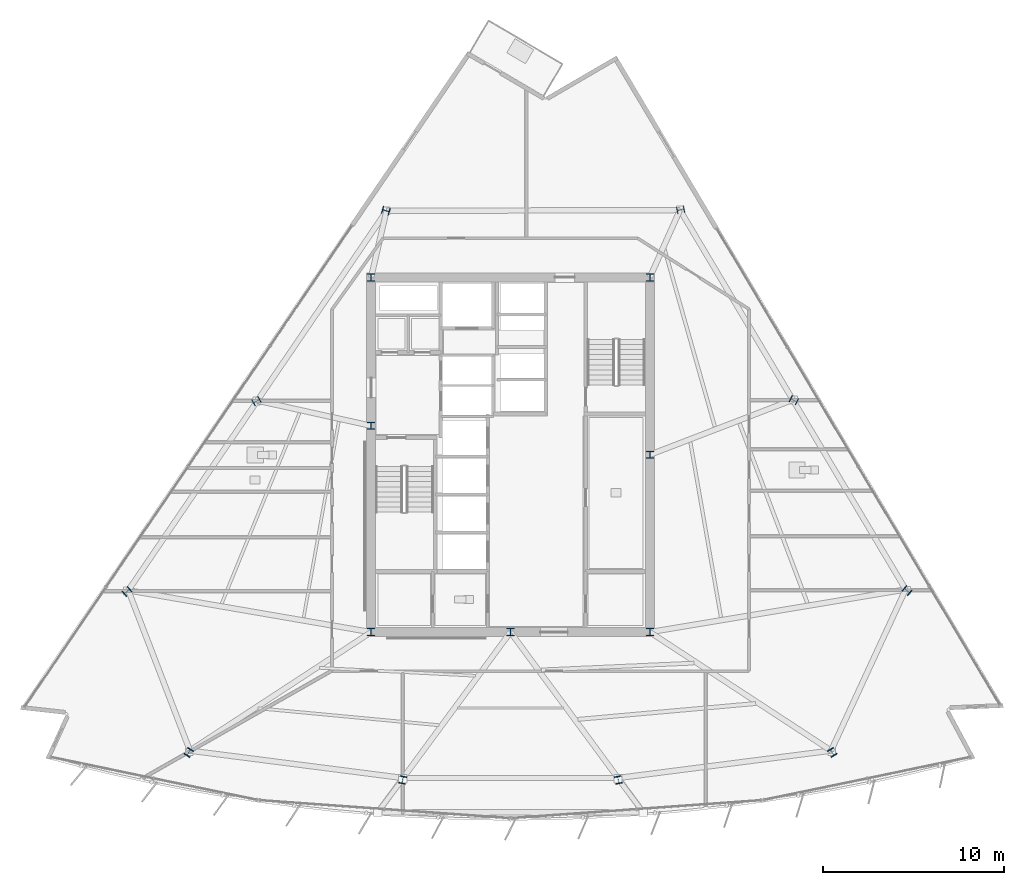
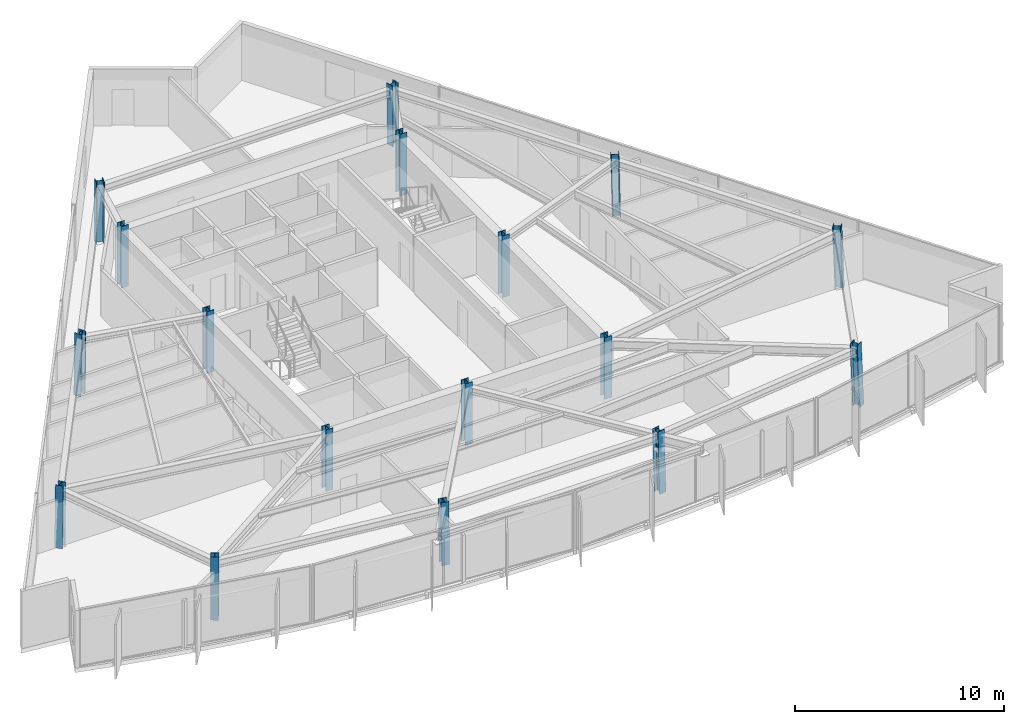
# One storey, part 1 of 16: 17 columns.
"""IFC4 building model written with IfcOpenShell, lengths in metres."""

import ifcopenshell
import ifcopenshell.guid

model = None  # the IFC model being written
_history = None  # IfcOwnerHistory: only IFC2X3 demands one
_inside = {}  # id of a spatial element -> (the spatial element, [elements in it])
_under = {}  # id of a project, library or spatial element -> (it, [spatial elements below it])
_declared = {}  # id of a project -> (the project, [libraries it declares])
_typed = {}  # id of a type object -> (the type object, [elements of that type])
_made_of = {}  # id of a material, layer set ... -> (it, [elements and type objects made of it])


def new_model(schema):
    """Start an empty IFC model of exactly this schema.

    Asked for "IFC4X3", IfcOpenShell would pick the latest addendum, in which some entities
    have other attributes; the version numbers below select the first issue.
    IFC2X3 requires an IfcOwnerHistory on every rooted entity: one is made here for all.
    """
    global model, _history
    if schema == "IFC4X3":
        model = ifcopenshell.file(schema_version=(4, 3, 0, 0))
    else:
        model = ifcopenshell.file(schema=schema)
    _inside.clear()
    _under.clear()
    _declared.clear()
    _typed.clear()
    _made_of.clear()
    _history = None
    if model.schema == "IFC2X3":
        org = make("IfcOrganization", Name="unknown")
        user = make(
            "IfcPersonAndOrganization",
            ThePerson=make("IfcPerson", FamilyName="unknown"),
            TheOrganization=org,
        )
        app = make(
            "IfcApplication",
            ApplicationDeveloper=org,
            Version="unknown",
            ApplicationFullName="unknown",
            ApplicationIdentifier="unknown",
        )
        _history = make(
            "IfcOwnerHistory",
            OwningUser=user,
            OwningApplication=app,
            ChangeAction="ADDED",
            CreationDate=0,
        )
    return model


def make(cls, **values):
    """One entity of the class cls with the attributes given. An attribute that is None is left unset."""
    return model.create_entity(
        cls, **{name: value for name, value in values.items() if value is not None}
    )


def rooted(cls, **values):
    """An entity with a GlobalId (a new one), such as an element, a storey or a relation."""
    return make(cls, GlobalId=ifcopenshell.guid.new(), OwnerHistory=_history, **values)


def si_unit(unit_type, name, prefix=None):
    """IfcSIUnit, for example si_unit("LENGTHUNIT", "METRE", prefix="MILLI")."""
    return make("IfcSIUnit", UnitType=unit_type, Prefix=prefix, Name=name)


def assignment(units):
    """IfcUnitAssignment: the units of a project."""
    return None if units is None else make("IfcUnitAssignment", Units=units)


def point(xyz):
    """IfcCartesianPoint."""
    return None if xyz is None else make("IfcCartesianPoint", Coordinates=xyz)


def direction(xyz):
    """IfcDirection."""
    return None if xyz is None else make("IfcDirection", DirectionRatios=xyz)


def frame(location, z_axis=None, x_axis=None):
    """IfcAxis2Placement3D, a coordinate frame: its origin and axes. An axis left out is left unset."""
    return make(
        "IfcAxis2Placement3D",
        Location=point(location),
        Axis=direction(z_axis),
        RefDirection=direction(x_axis),
    )


def frame_2d(location, x_axis=None):
    """IfcAxis2Placement2D, a coordinate frame in the plane: its origin and x axis."""
    return make(
        "IfcAxis2Placement2D", Location=point(location), RefDirection=direction(x_axis)
    )


def origin():
    """The frame at (0, 0, 0) with its axes left unset."""
    return frame((0.0, 0.0, 0.0))


def origin_2d():
    """The frame at (0, 0) in the plane with its x axis left unset."""
    return frame_2d((0.0, 0.0))


def place(relative_to, where):
    """IfcLocalPlacement: puts the frame where relative to a parent placement (None: the world)."""
    return make(
        "IfcLocalPlacement", PlacementRelTo=relative_to, RelativePlacement=where
    )


def context(
    kind, dimensions, precision=None, world=None, true_north=None, identifier=None
):
    """IfcGeometricRepresentationContext, for example the 3D "Model" context."""
    return make(
        "IfcGeometricRepresentationContext",
        ContextIdentifier=identifier,
        ContextType=kind,
        CoordinateSpaceDimension=dimensions,
        Precision=precision,
        WorldCoordinateSystem=world,
        TrueNorth=true_north,
    )


def subcontext(parent, identifier, kind, view, scale=None):
    """IfcGeometricRepresentationSubContext, for example "Body" below "Model"."""
    return make(
        "IfcGeometricRepresentationSubContext",
        ContextIdentifier=identifier,
        ContextType=kind,
        ParentContext=parent,
        TargetScale=scale,
        TargetView=view,
    )


def project(units=None, contexts=None):
    """IfcProject with its units and contexts."""
    return rooted(
        "IfcProject",
        Name="project",
        RepresentationContexts=contexts,
        UnitsInContext=assignment(units),
    )


def spatial(cls, under=None, at=None, **own):
    """A site, building, storey or space (cls), placed at a placement, below another one or the project."""
    s = rooted(cls, ObjectPlacement=at, **own)
    if under is not None:
        _under.setdefault(under.id(), (under, []))[1].append(s)
    return s


def profile(cls, at=None, kind="AREA", **sizes):
    """A parametric profile (cls). Its sizes go by their IFC names, for example OverallWidth=200.0."""
    return make(cls, ProfileType=kind, Position=at, **sizes)


def i_section(**sizes):
    """IfcIShapeProfileDef."""
    return profile("IfcIShapeProfileDef", **sizes)


def extrude(swept, where, along, depth):
    """IfcExtrudedAreaSolid: the profile swept, set in the frame where, extruded along a direction by depth."""
    return make(
        "IfcExtrudedAreaSolid",
        SweptArea=swept,
        Position=where,
        ExtrudedDirection=direction(along),
        Depth=depth,
    )


def shape(context_of_items, identifier, shape_type, items):
    """IfcShapeRepresentation: the items that make up one representation, for example the "Body"."""
    return make(
        "IfcShapeRepresentation",
        ContextOfItems=context_of_items,
        RepresentationIdentifier=identifier,
        RepresentationType=shape_type,
        Items=items,
    )


def material(Name=None, Category=None):
    """IfcMaterial."""
    return make("IfcMaterial", Name=Name, Category=Category)


def material_profile(
    of_material, cross_section, Name=None, Category=None, Priority=None
):
    """IfcMaterialProfile: a cross section and its material."""
    return make(
        "IfcMaterialProfile",
        Name=Name,
        Material=of_material,
        Profile=cross_section,
        Priority=Priority,
        Category=Category,
    )


def profile_set(profiles, Name=None, composite=None):
    """IfcMaterialProfileSet."""
    return make(
        "IfcMaterialProfileSet",
        Name=Name,
        MaterialProfiles=profiles,
        CompositeProfile=composite,
    )


def made_of(thing, what):
    """Note that an element or type object is made of a material, layer set ...; save() writes the relation."""
    if what is not None:
        _made_of.setdefault(what.id(), (what, []))[1].append(thing)
    return thing


def type_object(cls, material=None, **own):
    """A type object (cls), such as IfcWallType, which elements share."""
    return made_of(rooted(cls, **own), material)


def element(
    cls,
    number,
    at=None,
    inside=None,
    cuts=None,
    type_object=None,
    material=None,
    context=None,
    identifier="Body",
    shape_type=None,
    held_by="IfcProductDefinitionShape",
    body=None,
    shapes=None,
    **own,
):
    """One element of the class cls, such as IfcWall. Its Tag is "e" and its number.

    at: its placement. inside: the storey or other place that contains it. cuts: it is an
    opening in that element (IfcRelVoidsElement). A single representation is given by context,
    identifier, shape_type and body (its items); several are given by shapes. held_by: the class
    of the entity that holds the representations. save() writes the other relations.
    """
    e = rooted(cls, Tag="e%d" % number, ObjectPlacement=at, **own)
    if body is not None:
        shapes = [shape(context, identifier, shape_type, body)]
    if shapes is not None:
        e.Representation = make(held_by, Representations=shapes)
    if inside is not None:
        _inside.setdefault(inside.id(), (inside, []))[1].append(e)
    if cuts is not None:
        rooted(
            "IfcRelVoidsElement", RelatingBuildingElement=cuts, RelatedOpeningElement=e
        )
    if type_object is not None:
        _typed.setdefault(type_object.id(), (type_object, []))[1].append(e)
    return made_of(e, material)


def aggregate(whole, parts):
    """IfcRelAggregates: a whole, such as a stair, and the parts it consists of."""
    return rooted("IfcRelAggregates", RelatingObject=whole, RelatedObjects=parts)


def save(model, path):
    """Write the relations noted so far, then the file.

    IfcRelAggregates (storeys below a building ...), IfcRelContainedInSpatialStructure (elements
    in a storey), IfcRelDefinesByType, IfcRelAssociatesMaterial and IfcRelDeclares: one each for
    every whole, place, type object, material and project.
    """
    for whole, parts in _under.values():
        aggregate(whole, parts)
    for where, things in _inside.values():
        rooted(
            "IfcRelContainedInSpatialStructure",
            RelatedElements=things,
            RelatingStructure=where,
        )
    for kind, things in _typed.values():
        rooted("IfcRelDefinesByType", RelatedObjects=things, RelatingType=kind)
    for what, things in _made_of.values():
        rooted("IfcRelAssociatesMaterial", RelatedObjects=things, RelatingMaterial=what)
    for by, libraries in _declared.values():
        rooted("IfcRelDeclares", RelatingContext=by, RelatedDefinitions=libraries)
    model.write(path)


model = new_model("IFC4")

# Units and contexts
model_context = context("Model", 3, precision=1e-05, world=origin(), true_north=direction((0.0, 1.0)))
body_context = subcontext(model_context, "Body", "Model", "MODEL_VIEW")
ifc_project = project(units=[si_unit("LENGTHUNIT", "METRE"), si_unit("AREAUNIT", "SQUARE_METRE"), si_unit("VOLUMEUNIT", "CUBIC_METRE"), si_unit("PLANEANGLEUNIT", "RADIAN"), si_unit("MASSUNIT", "GRAM", prefix="KILO")], contexts=[model_context])

# Site, building, storey
site_placement = place(None, origin())
site = spatial("IfcSite", under=ifc_project, at=site_placement, CompositionType="ELEMENT")
building_placement = place(site_placement, origin())
building = spatial("IfcBuilding", under=site, at=building_placement, Name="Savorim Split Tower", CompositionType="ELEMENT")
storey_placement = place(building_placement, frame((0.0, 0.0, 156.60009765625)))
storey = spatial("IfcBuildingStorey", under=building, at=storey_placement, Name="L41", CompositionType="ELEMENT", Elevation=156.60009765625)

# Columns
ifc_material = material(Name="Steel S460", Category="steel")
ifc_material_profile = material_profile(ifc_material, i_section(OverallWidth=0.404052734375, OverallDepth=0.406982421875, WebThickness=0.017333984375, FlangeThickness=0.028076171875, FilletRadius=0.014892578125, at=origin_2d()), Name="HD 400x347")
ifc_profile_set = profile_set([ifc_material_profile], Name="Steel S460")
column_type = type_object("IfcColumnType", Name="COL-HD-347", PredefinedType="COLUMN", material=ifc_profile_set)
for number, where, z_axis, x_axis, name in (
    (1, (-7.699951171875, -9.39990234375, 0.0), (0.0, 0.0, 1.0), (1.0, 0.0, 0.0), "L41 Core Structural Column TC-C1"),
    (2, (7.699951171875, -9.39990234375, 0.0), (0.0, 0.0, 1.0), (1.0, 0.0, 0.0), "L41 Core Structural Column TC-C2"),
    (3, (7.699951171875, 10.199951171875, 0.0), (0.0, 0.0, 1.0), (1.0, 0.0, 0.0), "L41 Core Structural Column TC-C3"),
    (4, (-7.699951171875, 10.199951171875, 0.0), (0.0, 0.0, 1.0), (1.0, 0.0, 0.0), "L41 Core Structural Column TC-C4"),
    (5, (0.0, -9.39990234375, 0.0), (0.0, 0.0, 1.0), (1.0, 0.0, 0.0), "L41 Core Structural Column TC-C5"),
    (6, (7.699951171875, 0.39990234375, 0.0), (0.0, 0.0, 1.0), (1.0, 0.0, 0.0), "L41 Core Structural Column TC-C6"),
    (7, (-7.699951171875, 2.0, 0.0), (0.0, 0.0, 1.0), (1.0, 0.0, 0.0), "L41 Core Structural Column TC-C7"),
):
    element("IfcColumn", number, at=place(storey_placement, frame(where, z_axis=z_axis, x_axis=x_axis)), inside=storey, type_object=column_type, Name=name, PredefinedType="COLUMN", context=body_context, shape_type="SweptSolid", body=[
        extrude(i_section(OverallWidth=0.404052734375, OverallDepth=0.406982421875, WebThickness=0.017333984375, FlangeThickness=0.028076171875, FilletRadius=0.014892578125, at=origin_2d()), origin(), (0.0, 0.0, 1.0), 3.599853515625),
    ])
column_1_placement = place(storey_placement, frame((-17.78466796875, -16.06689453125, 0.00537109375), z_axis=(0.020594940847, 0.033441290088, 0.999228466633), x_axis=(-0.851480003019, 0.52438707503, 0.0)))
element("IfcColumn", 8, at=column_1_placement, inside=storey, type_object=column_type, Name="L41 Tapered Perimeter Column PC-S1", PredefinedType="COLUMN", context=body_context, shape_type="SweptSolid", body=[
    extrude(i_section(OverallWidth=0.404052734375, OverallDepth=0.406982421875, WebThickness=0.017333984375, FlangeThickness=0.028076171875, FilletRadius=0.014892578125, at=origin_2d()), origin(), (0.0, 0.0, 1.0), 3.591796875),
])
for number, where, z_axis, x_axis, name in (
    (9, (-5.960693359375, -17.585205078125, 0.00537109375), (0.00693381708, 0.03528089279, 0.999353381334), (-0.981229659911, 0.192842823335, 0.0), "L41 Tapered Perimeter Column PC-S2"),
    (10, (5.960693359375, -17.585205078125, 0.00537109375), (-0.00693381708, 0.03528089279, 0.999353381334), (-0.981229659911, -0.192842823335, 0.0), "L41 Tapered Perimeter Column PC-S3"),
):
    element("IfcColumn", number, at=place(storey_placement, frame(where, z_axis=z_axis, x_axis=x_axis)), inside=storey, type_object=column_type, Name=name, PredefinedType="COLUMN", context=body_context, shape_type="SweptSolid", body=[
        extrude(i_section(OverallWidth=0.404052734375, OverallDepth=0.406982421875, WebThickness=0.017333984375, FlangeThickness=0.028076171875, FilletRadius=0.014892578125, at=origin_2d()), origin(), (0.0, 0.0, 1.0), 3.591552734375),
    ])
column_2_placement = place(storey_placement, frame((17.78466796875, -16.06689453125, 0.00537109375), z_axis=(-0.020594940847, 0.033441290088, 0.999228466633), x_axis=(-0.851480003019, -0.52438707503, 0.0)))
element("IfcColumn", 11, at=column_2_placement, inside=storey, type_object=column_type, Name="L41 Tapered Perimeter Column PC-S4", PredefinedType="COLUMN", context=body_context, shape_type="SweptSolid", body=[
    extrude(i_section(OverallWidth=0.404052734375, OverallDepth=0.406982421875, WebThickness=0.017333984375, FlangeThickness=0.028076171875, FilletRadius=0.014892578125, at=origin_2d()), origin(), (0.0, 0.0, 1.0), 3.591796875),
])
column_3_placement = place(storey_placement, frame((21.92333984375, -7.120361328125, 0.00537109375), z_axis=(-0.026105663043, 0.021618752208, 0.999425396871), x_axis=(-0.637813971185, -0.770190455771, 0.0)))
element("IfcColumn", 12, at=column_3_placement, inside=storey, type_object=column_type, Name="L41 Tapered Perimeter Column PC-E1", PredefinedType="COLUMN", context=body_context, shape_type="SweptSolid", body=[
    extrude(i_section(OverallWidth=0.404052734375, OverallDepth=0.406982421875, WebThickness=0.017333984375, FlangeThickness=0.028076171875, FilletRadius=0.014892578125, at=origin_2d()), origin(), (0.0, 0.0, 1.0), 3.591064453125),
])
column_4_placement = place(storey_placement, frame((15.664794921875, 3.40478515625, 0.00537109375), z_axis=(-0.018906041, 0.009521027842, 0.999775930718), x_axis=(-0.449781931574, -0.893138406984, 0.0)))
element("IfcColumn", 13, at=column_4_placement, inside=storey, type_object=column_type, Name="L41 Tapered Perimeter Column PC-E2", PredefinedType="COLUMN", context=body_context, shape_type="SweptSolid", body=[
    extrude(i_section(OverallWidth=0.404052734375, OverallDepth=0.406982421875, WebThickness=0.017333984375, FlangeThickness=0.028076171875, FilletRadius=0.014892578125, at=origin_2d()), origin(), (0.0, 0.0, 1.0), 3.58984375),
])
for number, where, z_axis, x_axis, name in (
    (14, (9.40625, 13.929931640625, 0.00537109375), (-0.011699046613, -0.002516655376, 0.999928396814), (0.210305364179, -0.977635746993, 0.0), "L41 Tapered Perimeter Column PC-E3"),
    (15, (-6.883056640625, 13.881103515625, 0.00537109375), (0.008842562123, -0.00251672922, 0.999957736691), (0.273743828055, 0.961802639112, 0.0), "L41 Tapered Perimeter Column PC-W1"),
):
    element("IfcColumn", number, at=place(storey_placement, frame(where, z_axis=z_axis, x_axis=x_axis)), inside=storey, type_object=column_type, Name=name, PredefinedType="COLUMN", context=body_context, shape_type="SweptSolid", body=[
        extrude(i_section(OverallWidth=0.404052734375, OverallDepth=0.406982421875, WebThickness=0.017333984375, FlangeThickness=0.028076171875, FilletRadius=0.014892578125, at=origin_2d()), origin(), (0.0, 0.0, 1.0), 3.58935546875),
    ])
column_5_placement = place(storey_placement, frame((-14.04296875, 3.35595703125, 0.00537109375), z_axis=(0.01700241672, 0.009521353363, 0.999810112799), x_axis=(-0.488603368932, 0.87250601595, 0.0)))
element("IfcColumn", 16, at=column_5_placement, inside=storey, type_object=column_type, Name="L41 Tapered Perimeter Column PC-W2", PredefinedType="COLUMN", context=body_context, shape_type="SweptSolid", body=[
    extrude(i_section(OverallWidth=0.404052734375, OverallDepth=0.406982421875, WebThickness=0.017333984375, FlangeThickness=0.028076171875, FilletRadius=0.014892578125, at=origin_2d()), origin(), (0.0, 0.0, 1.0), 3.58984375),
])
column_6_placement = place(storey_placement, frame((-21.202880859375, -7.169189453125, 0.00537109375), z_axis=(0.025222449659, 0.021619242565, 0.999448065876), x_axis=(-0.650791373456, 0.759256602365, 0.0)))
element("IfcColumn", 17, at=column_6_placement, inside=storey, type_object=column_type, Name="L41 Tapered Perimeter Column PC-W3", PredefinedType="COLUMN", context=body_context, shape_type="SweptSolid", body=[
    extrude(i_section(OverallWidth=0.404052734375, OverallDepth=0.406982421875, WebThickness=0.017333984375, FlangeThickness=0.028076171875, FilletRadius=0.014892578125, at=origin_2d()), origin(), (0.0, 0.0, 1.0), 3.591064453125),
])

save(model, "model.ifc")
